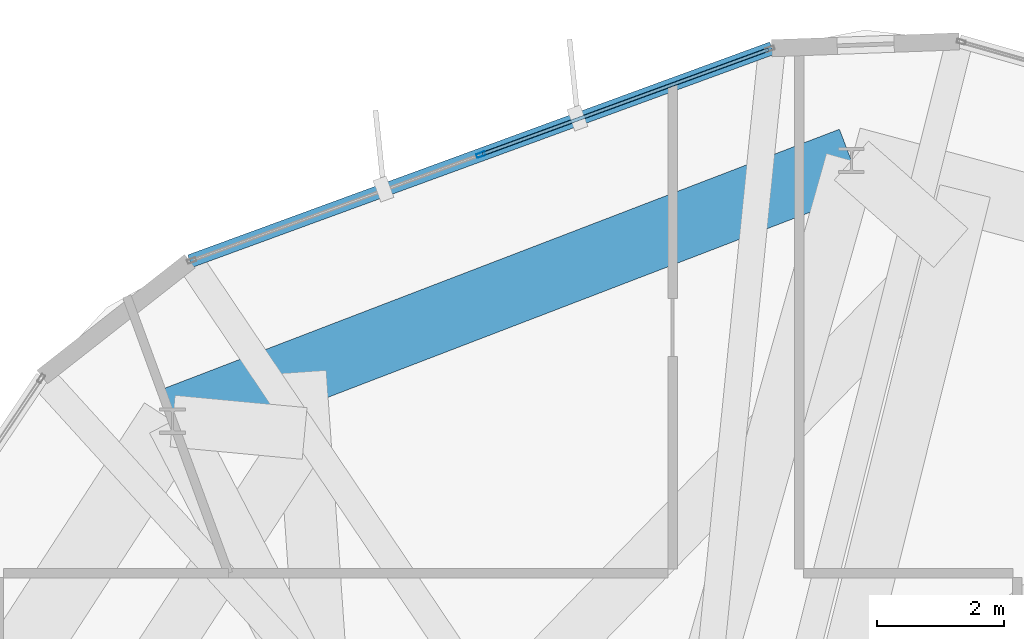
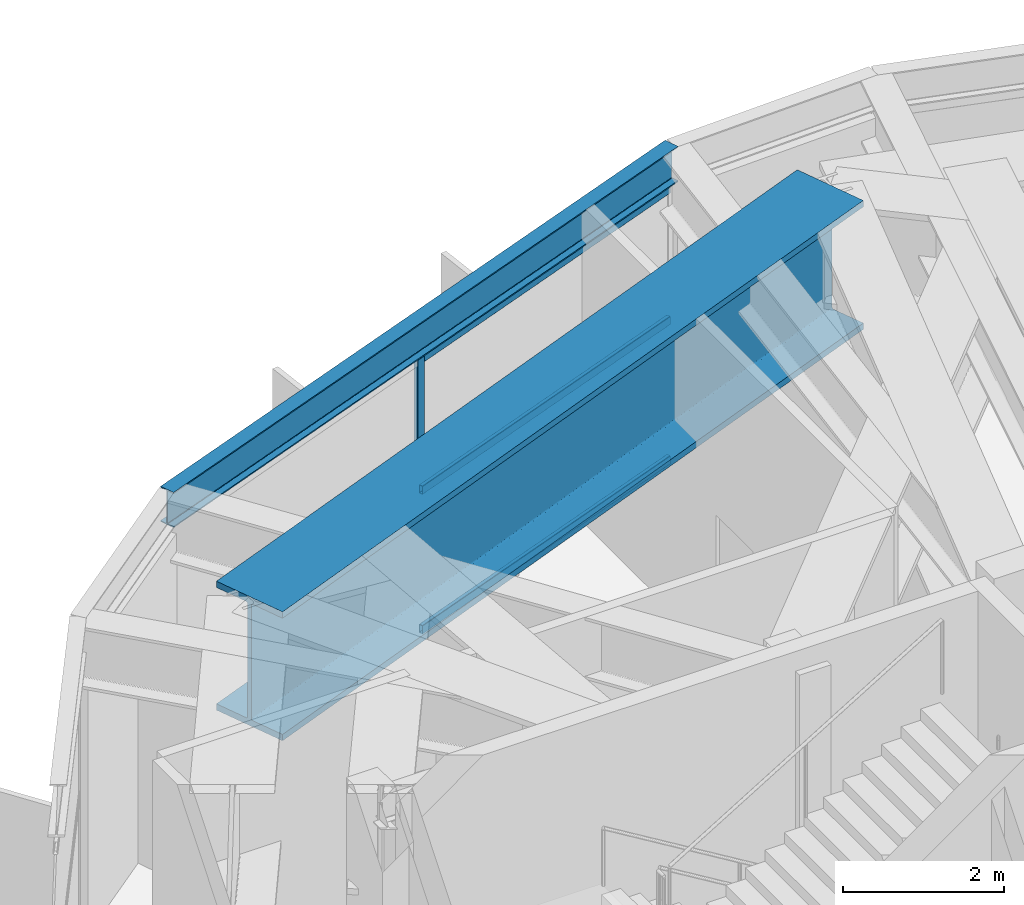
# One storey, part 19 of 30: 4 members, 2 beams, 1 element without a shape of its own.
"""IFC4 building model written with IfcOpenShell, lengths in metres."""

from ifc_helpers import new_model, si_unit, direction, frame, origin, origin_2d, place, context, subcontext, project, spatial, hollow_rectangle, i_section, extrude, material, layer, layer_set, material_profile, profile_set, type_object, element, aggregate, save


model = new_model("IFC4")

# Units and contexts
model_context = context("Model", 3, precision=1e-05, world=origin(), true_north=direction((0.0, 1.0)))
body_context = subcontext(model_context, "Body", "Model", "MODEL_VIEW")
ifc_project = project(units=[si_unit("LENGTHUNIT", "METRE"), si_unit("AREAUNIT", "SQUARE_METRE"), si_unit("VOLUMEUNIT", "CUBIC_METRE"), si_unit("PLANEANGLEUNIT", "RADIAN"), si_unit("MASSUNIT", "GRAM", prefix="KILO")], contexts=[model_context])

# Site, building, storey
site_placement = place(None, origin())
site = spatial("IfcSite", under=ifc_project, at=site_placement, CompositionType="ELEMENT")
building_placement = place(site_placement, origin())
building = spatial("IfcBuilding", under=site, at=building_placement, Name="Soratama Intermodal Tower", CompositionType="ELEMENT")
storey_placement = place(building_placement, frame((0.0, 0.0, 237.39990234375)))
storey = spatial("IfcBuildingStorey", under=building, at=storey_placement, Name="L60", CompositionType="ELEMENT", Elevation=237.39990234375)

# Beams
ifc_material_1 = material(Name="Structural steel ASTM A992 Grade 50", Category="steel")
ifc_material_profile_1 = material_profile(ifc_material_1, i_section(OverallWidth=0.2099609375, OverallDepth=0.537109375, WebThickness=0.010986328125, FlangeThickness=0.017333984375, FilletRadius=0.012939453125, at=origin_2d()), Name="W21X68")
ifc_profile_set_1 = profile_set([ifc_material_profile_1], Name="Structural steel ASTM A992 Grade 50")
beam_type_1 = type_object("IfcBeamType", Name="BM-SPN-W21X68", PredefinedType="SPANDREL", material=ifc_profile_set_1)
beam_1_placement = place(storey_placement, frame((42.77001953125, 45.35009765625, 4.531494140625), z_axis=(-0.939090098667, -0.343671044148, 0.0), x_axis=(0.343671044148, -0.939090098667, 0.0)))
element("IfcBeam", 1, at=beam_1_placement, inside=storey, type_object=beam_type_1, Name="BS-L60-F02", PredefinedType="SPANDREL", context=body_context, shape_type="SweptSolid", body=[
    extrude(i_section(OverallWidth=0.2099609375, OverallDepth=0.537109375, WebThickness=0.010986328125, FlangeThickness=0.017333984375, FilletRadius=0.012939453125, at=origin_2d()), origin(), (0.0, 0.0, 1.0), 9.797607421875),
])
ifc_material_2 = material(Name="Structural steel ASTM A992 Grade 50", Category="steel")
ifc_material_profile_2 = material_profile(ifc_material_2, i_section(OverallWidth=1.06005859375, OverallDepth=1.9599609375, WebThickness=0.05810546875, FlangeThickness=0.095947265625, FilletRadius=0.02392578125, at=origin_2d()), Name="PG2400X900")
ifc_profile_set_2 = profile_set([ifc_material_profile_2], Name="Structural steel ASTM A992 Grade 50")
beam_type_2 = type_object("IfcBeamType", Name="BM-ZSTEP-PG2400", PredefinedType="BEAM", material=ifc_profile_set_2)
beam_2_placement = place(storey_placement, frame((44.027099609375, 43.574951171875, 3.820068359375), z_axis=(-0.933575304305, -0.358381293026, 0.0), x_axis=(0.358381293026, -0.933575304305, 0.0)))
element("IfcBeam", 2, at=beam_2_placement, inside=storey, type_object=beam_type_2, Name="BM-L60-RING-03", PredefinedType="BEAM", context=body_context, shape_type="SweptSolid", body=[
    extrude(i_section(OverallWidth=1.06005859375, OverallDepth=1.9599609375, WebThickness=0.05810546875, FlangeThickness=0.095947265625, FilletRadius=0.02392578125, at=origin_2d()), origin(), (0.0, 0.0, 1.0), 11.495849609375),
])

# Curtain wall, members
ifc_material_3 = material(Name="Double-glazed aluminium curtain wall", Category="aluminium")
ifc_layer = layer(ifc_material_3, 0.159912109375)
ifc_layer_set = layer_set([ifc_layer], Name="Double-glazed aluminium curtain wall")
curtain_wall_type = type_object("IfcCurtainWallType", Name="CW-SYS-5", PredefinedType="NOTDEFINED", material=ifc_layer_set)
curtain_wall_placement = place(storey_placement, origin())
curtain_wall = element("IfcCurtainWall", 3, at=curtain_wall_placement, inside=storey, type_object=curtain_wall_type, Name="L60 Faceted Curtain Wall F02", PredefinedType="NOTDEFINED")
ifc_material_4 = material(Name="Anodised aluminium AA 6063-T6", Category="aluminium")
ifc_material_profile_3 = material_profile(ifc_material_4, hollow_rectangle(XDim=0.06494140625, YDim=0.139892578125, WallThickness=0.0048828125, InnerFilletRadius=0.0048828125, OuterFilletRadius=0.010009765625, at=origin_2d()), Name="CWM140X65X5")
ifc_profile_set_3 = profile_set([ifc_material_profile_3], Name="Anodised aluminium AA 6063-T6")
member_type_1 = type_object("IfcMemberType", Name="MT-CWM-5", PredefinedType="MULLION", material=ifc_profile_set_3)
member_1_placement = place(storey_placement, frame((38.1689453125, 43.66650390625, 0.0), z_axis=(0.0, 0.0, 1.0), x_axis=(0.343664081803, -0.93909264659, 0.0)))
member_1 = element("IfcMember", 4, at=member_1_placement, type_object=member_type_1, Name="CW-5 mullion 2", PredefinedType="MULLION", context=body_context, shape_type="SweptSolid", body=[
    extrude(hollow_rectangle(XDim=0.06494140625, YDim=0.139892578125, WallThickness=0.0048828125, InnerFilletRadius=0.0048828125, OuterFilletRadius=0.010009765625, at=origin_2d()), origin(), (0.0, 0.0, 1.0), 4.17919921875),
])
ifc_material_5 = material(Name="Anodised aluminium AA 6063-T6", Category="aluminium")
ifc_material_profile_4 = material_profile(ifc_material_5, hollow_rectangle(XDim=0.06005859375, YDim=0.1298828125, WallThickness=0.0048828125, InnerFilletRadius=0.0048828125, OuterFilletRadius=0.010009765625, at=origin_2d()), Name="CWT130X60X5")
ifc_profile_set_4 = profile_set([ifc_material_profile_4], Name="Anodised aluminium AA 6063-T6")
member_type_2 = type_object("IfcMemberType", Name="TT-CWT-2", PredefinedType="USERDEFINED", material=ifc_profile_set_4)
member_2_placement = place(storey_placement, frame((42.713134765625, 45.329345703125, 0.030029296875), z_axis=(-0.939093281625, -0.343662346506, 0.0), x_axis=(0.343662346506, -0.939093281625, 0.0)))
member_2 = element("IfcMember", 5, at=member_2_placement, type_object=member_type_2, Name="CW-5 transom 1.1", ObjectType="TRANSOM", PredefinedType="USERDEFINED", context=body_context, shape_type="SweptSolid", body=[
    extrude(hollow_rectangle(XDim=0.06005859375, YDim=0.1298828125, WallThickness=0.0048828125, InnerFilletRadius=0.0048828125, OuterFilletRadius=0.010009765625, at=origin_2d()), origin(), (0.0, 0.0, 1.0), 4.808837890625),
])
member_3_placement = place(storey_placement, frame((42.713134765625, 45.329345703125, 2.150146484375), z_axis=(-0.939093281625, -0.343662346506, 0.0), x_axis=(0.343662346506, -0.939093281625, 0.0)))
member_3 = element("IfcMember", 6, at=member_3_placement, type_object=member_type_2, Name="CW-5 transom 1.2", ObjectType="TRANSOM", PredefinedType="USERDEFINED", context=body_context, shape_type="SweptSolid", body=[
    extrude(hollow_rectangle(XDim=0.06005859375, YDim=0.1298828125, WallThickness=0.0048828125, InnerFilletRadius=0.0048828125, OuterFilletRadius=0.010009765625, at=origin_2d()), origin(), (0.0, 0.0, 1.0), 4.808837890625),
])
member_4_placement = place(storey_placement, frame((42.713134765625, 45.329345703125, 4.149169921875), z_axis=(-0.939093281625, -0.343662346506, 0.0), x_axis=(0.343662346506, -0.939093281625, 0.0)))
member_4 = element("IfcMember", 7, at=member_4_placement, type_object=member_type_2, Name="CW-5 transom 1.3", ObjectType="TRANSOM", PredefinedType="USERDEFINED", context=body_context, shape_type="SweptSolid", body=[
    extrude(hollow_rectangle(XDim=0.06005859375, YDim=0.1298828125, WallThickness=0.0048828125, InnerFilletRadius=0.0048828125, OuterFilletRadius=0.010009765625, at=origin_2d()), origin(), (0.0, 0.0, 1.0), 4.808837890625),
])
aggregate(curtain_wall, [member_1, member_2, member_3, member_4])

save(model, "model.ifc")
